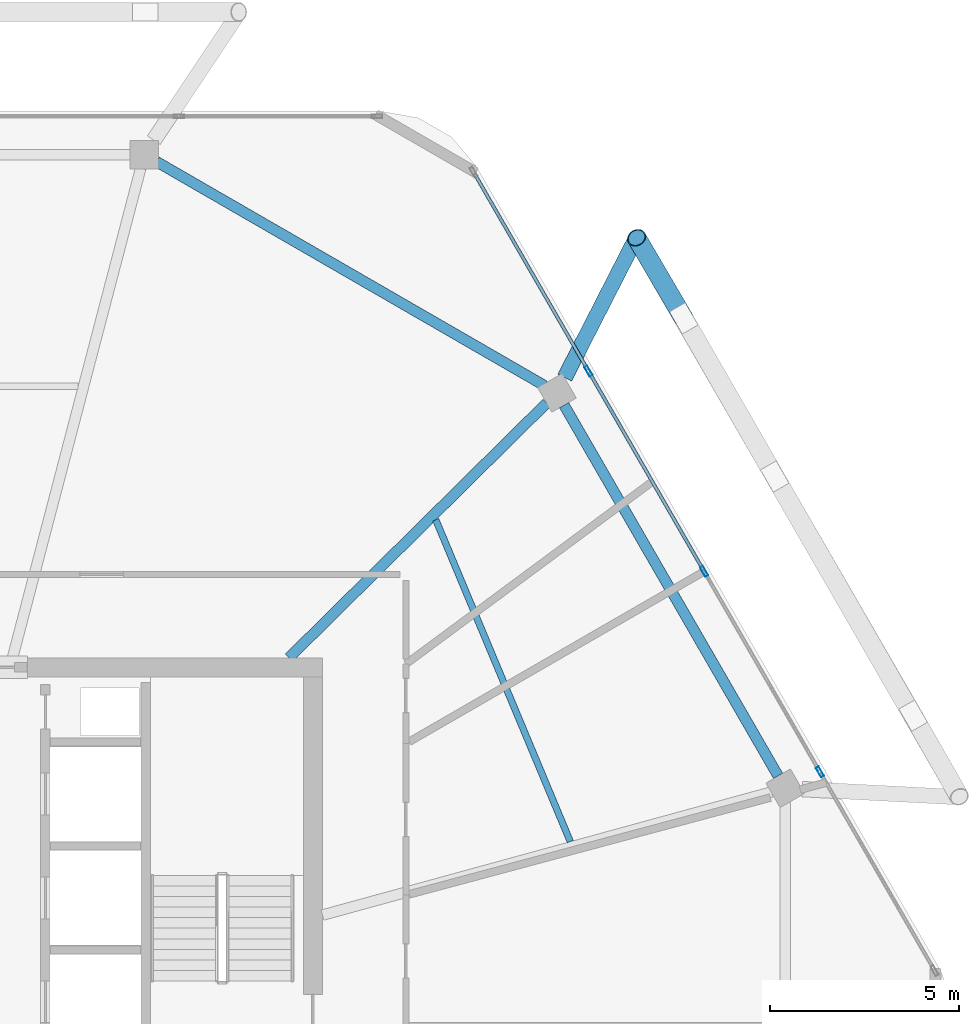
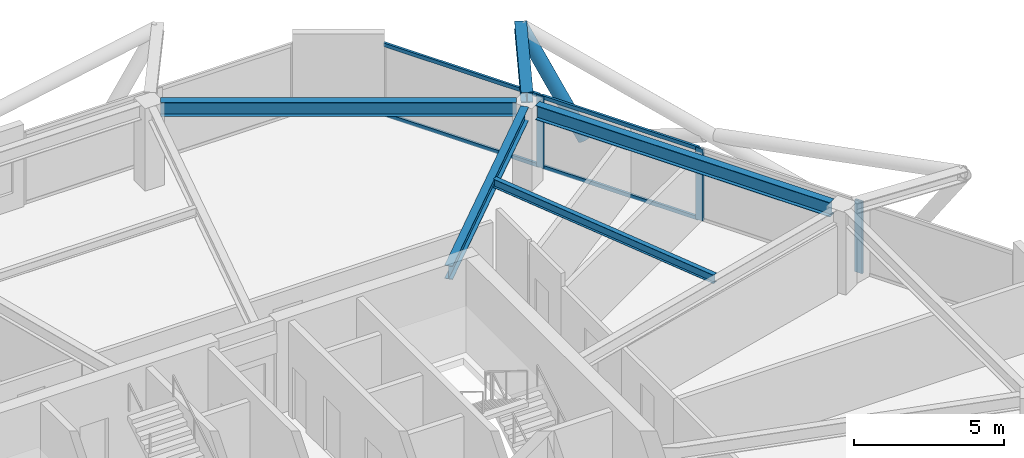
# One storey, part 13 of 23: 8 members, 5 beams, 1 element without a shape of its own.
"""IFC4 building model written with IfcOpenShell, lengths in metres."""

from ifc_helpers import new_model, si_unit, direction, frame, origin, origin_2d, place, context, subcontext, project, spatial, hollow_rectangle, hollow_circle, i_section, extrude, material, material_profile, profile_set, type_object, element, aggregate, save


model = new_model("IFC4")

# Units and contexts
model_context = context("Model", 3, precision=1e-05, world=origin(), true_north=direction((0.0, 1.0)))
body_context = subcontext(model_context, "Body", "Model", "MODEL_VIEW")
ifc_project = project(units=[si_unit("LENGTHUNIT", "METRE"), si_unit("AREAUNIT", "SQUARE_METRE"), si_unit("VOLUMEUNIT", "CUBIC_METRE"), si_unit("PLANEANGLEUNIT", "RADIAN"), si_unit("MASSUNIT", "GRAM", prefix="KILO")], contexts=[model_context])

# Site, building, storey
site_placement = place(None, origin())
site = spatial("IfcSite", under=ifc_project, at=site_placement, CompositionType="ELEMENT")
building_placement = place(site_placement, origin())
building = spatial("IfcBuilding", under=site, at=building_placement, Name="Zuhravey Tower", CompositionType="ELEMENT")
storey_placement = place(building_placement, frame((0.0, 0.0, 353.800048828125)))
storey = spatial("IfcBuildingStorey", under=building, at=storey_placement, Name="L90", CompositionType="ELEMENT", Elevation=353.800048828125)

# Curtain wall, members
ifc_material_1 = material(Name="Thermally broken anodised aluminium", Category="aluminium")
curtain_wall_type = type_object("IfcCurtainWallType", Name="Zone 3-4 High-Rise Curtain Wall CW4", PredefinedType="NOTDEFINED", material=ifc_material_1)
curtain_wall_placement = place(storey_placement, origin())
curtain_wall = element("IfcCurtainWall", 1, at=curtain_wall_placement, inside=storey, type_object=curtain_wall_type, Name="L90 CW4 CW-L90-F1-1", PredefinedType="NOTDEFINED")
ifc_material_2 = material(Name="Anodised aluminium", Category="aluminium")
ifc_material_profile_1 = material_profile(ifc_material_2, hollow_rectangle(XDim=0.090087890625, YDim=0.284912109375, WallThickness=0.0048828125, at=origin_2d()), Name="ALU-RHS-90x285x5")
ifc_profile_set_1 = profile_set([ifc_material_profile_1], Name="Anodised aluminium")
member_type_1 = type_object("IfcMemberType", Name="Curtain-Wall Mullion 90x180", PredefinedType="MULLION", material=ifc_profile_set_1)
member_1_placement = place(storey_placement, frame((53.788818359375, 49.3369140625, 0.0), z_axis=(0.0, 0.0, 1.0), x_axis=(0.866025511541, 0.49999981336, 0.0)))
member_1 = element("IfcMember", 2, at=member_1_placement, type_object=member_type_1, Name="CW4 mullion 2", PredefinedType="MULLION", context=body_context, shape_type="SweptSolid", body=[
    extrude(hollow_rectangle(XDim=0.090087890625, YDim=0.284912109375, WallThickness=0.0048828125, at=origin_2d()), origin(), (0.0, 0.0, 1.0), 2.921875),
])
member_2_placement = place(storey_placement, frame((56.8486328125, 44.037109375, 0.0), z_axis=(0.0, 0.0, 1.0), x_axis=(0.866025511541, 0.49999981336, 0.0)))
member_2 = element("IfcMember", 3, at=member_2_placement, type_object=member_type_1, Name="CW4 mullion 3", PredefinedType="MULLION", context=body_context, shape_type="SweptSolid", body=[
    extrude(hollow_rectangle(XDim=0.090087890625, YDim=0.284912109375, WallThickness=0.0048828125, at=origin_2d()), origin(), (0.0, 0.0, 1.0), 2.921875),
])
member_3_placement = place(storey_placement, frame((59.90869140625, 38.7373046875, 0.0), z_axis=(0.0, 0.0, 1.0), x_axis=(0.866025511541, 0.49999981336, 0.0)))
member_3 = element("IfcMember", 4, at=member_3_placement, type_object=member_type_1, Name="CW4 mullion 4", PredefinedType="MULLION", context=body_context, shape_type="SweptSolid", body=[
    extrude(hollow_rectangle(XDim=0.090087890625, YDim=0.284912109375, WallThickness=0.0048828125, at=origin_2d()), origin(), (0.0, 0.0, 1.0), 2.921875),
])
ifc_material_profile_2 = material_profile(ifc_material_2, hollow_rectangle(XDim=0.090087890625, YDim=0.14990234375, WallThickness=0.0048828125, at=origin_2d()), Name="ALU-RHS-90x150x5")
ifc_profile_set_2 = profile_set([ifc_material_profile_2], Name="Anodised aluminium")
member_type_2 = type_object("IfcMemberType", Name="Curtain-Wall Transom 90x150", PredefinedType="USERDEFINED", material=ifc_profile_set_2)
member_4_placement = place(storey_placement, frame((50.774169921875, 54.55859375, 0.044921875), z_axis=(0.499982594807, -0.866035452444, 0.0), x_axis=(0.866035452444, 0.499982594807, 0.0)))
member_4 = element("IfcMember", 5, at=member_4_placement, type_object=member_type_2, Name="CW4 transom 1.1", ObjectType="TRANSOM", PredefinedType="USERDEFINED", context=body_context, shape_type="SweptSolid", body=[
    extrude(hollow_rectangle(XDim=0.090087890625, YDim=0.14990234375, WallThickness=0.0048828125, at=origin_2d()), origin(), (0.0, 0.0, 1.0), 5.984619140625),
])
member_5_placement = place(storey_placement, frame((50.774169921875, 54.55859375, 2.876953125), z_axis=(0.499982594807, -0.866035452444, 0.0), x_axis=(0.866035452444, 0.499982594807, 0.0)))
member_5 = element("IfcMember", 6, at=member_5_placement, type_object=member_type_2, Name="CW4 transom 1.2", ObjectType="TRANSOM", PredefinedType="USERDEFINED", context=body_context, shape_type="SweptSolid", body=[
    extrude(hollow_rectangle(XDim=0.090087890625, YDim=0.14990234375, WallThickness=0.0048828125, at=origin_2d()), origin(), (0.0, 0.0, 1.0), 5.984619140625),
])
member_6_placement = place(storey_placement, frame((53.8115234375, 49.2978515625, 0.044921875), z_axis=(0.499971305196, -0.866041970103, 0.0), x_axis=(0.866041970103, 0.499971305196, 0.0)))
member_6 = element("IfcMember", 7, at=member_6_placement, type_object=member_type_2, Name="CW4 transom 2.1", ObjectType="TRANSOM", PredefinedType="USERDEFINED", context=body_context, shape_type="SweptSolid", body=[
    extrude(hollow_rectangle(XDim=0.090087890625, YDim=0.14990234375, WallThickness=0.0048828125, at=origin_2d()), origin(), (0.0, 0.0, 1.0), 6.029541015625),
])
member_7_placement = place(storey_placement, frame((53.8115234375, 49.2978515625, 2.876953125), z_axis=(0.499971305196, -0.866041970103, 0.0), x_axis=(0.866041970103, 0.499971305196, 0.0)))
member_7 = element("IfcMember", 8, at=member_7_placement, type_object=member_type_2, Name="CW4 transom 2.2", ObjectType="TRANSOM", PredefinedType="USERDEFINED", context=body_context, shape_type="SweptSolid", body=[
    extrude(hollow_rectangle(XDim=0.090087890625, YDim=0.14990234375, WallThickness=0.0048828125, at=origin_2d()), origin(), (0.0, 0.0, 1.0), 6.029541015625),
])
aggregate(curtain_wall, [member_1, member_2, member_3, member_4, member_5, member_6, member_7])

# Beam
ifc_material_3 = material(Name="Steel SM460", Category="steel")
ifc_material_profile_3 = material_profile(ifc_material_3, i_section(OverallWidth=0.406982421875, OverallDepth=0.427978515625, WebThickness=0.02001953125, FlangeThickness=0.034912109375, at=origin_2d()), Name="H-428x407x20x35")
ifc_profile_set_3 = profile_set([ifc_material_profile_3], Name="Steel SM460")
beam_type_1 = type_object("IfcBeamType", Name="Exoskeleton Node Tie Beam H428x407", PredefinedType="BEAM", material=ifc_profile_set_3)
beam_1_placement = place(storey_placement, frame((53.15966796875, 49.1630859375, 3.135986328125), z_axis=(0.454912116778, 0.890536336153, 0.0), x_axis=(-0.890536336153, 0.454912116778, 0.0)))
element("IfcBeam", 9, at=beam_1_placement, inside=storey, type_object=beam_type_1, Name="L90 Exoskeleton Node Tie NT1-02", PredefinedType="BEAM", context=body_context, shape_type="SweptSolid", body=[
    extrude(i_section(OverallWidth=0.406982421875, OverallDepth=0.427978515625, WebThickness=0.02001953125, FlangeThickness=0.034912109375, at=origin_2d()), origin(), (0.0, 0.0, 1.0), 4.151611328125),
])

# Member
ifc_material_4 = material(Name="Steel SM355", Category="steel")
ifc_material_profile_4 = material_profile(ifc_material_4, hollow_circle(Radius=0.25390625, WallThickness=0.02490234375, at=origin_2d()), Name="CHS-508.0x25")
ifc_profile_set_4 = profile_set([ifc_material_profile_4], Name="Steel SM355")
member_type_3 = type_object("IfcMemberType", Name="Exoskeleton Zone 4 Diagrid CHS508x25", PredefinedType="BRACE", material=ifc_profile_set_4)
member_8_placement = place(storey_placement, frame((56.3037109375, 50.74072265625, -0.5830078125), z_axis=(-0.279611884569, 0.477679454804, 0.832850246122), x_axis=(-0.863018689104, -0.505171992748, 0.0)))
element("IfcMember", 10, at=member_8_placement, inside=storey, type_object=member_type_3, Name="L90 Face 1 Diagrid Brace 4", PredefinedType="BRACE", context=body_context, shape_type="SweptSolid", body=[
    extrude(hollow_circle(Radius=0.25390625, WallThickness=0.02490234375, at=origin_2d()), origin(), (0.0, 0.0, 1.0), 4.446044921875),
])

# Beams
ifc_material_profile_5 = material_profile(ifc_material_4, i_section(OverallWidth=0.280029296875, OverallDepth=0.580078125, WebThickness=0.011962890625, FlangeThickness=0.01904296875, at=origin_2d()), Name="H-580x280x12x19")
ifc_profile_set_5 = profile_set([ifc_material_profile_5], Name="Steel SM355")
beam_type_2 = type_object("IfcBeamType", Name="Perimeter Ring Beam H580x280", PredefinedType="BEAM", material=ifc_profile_set_5)
beam_2_placement = place(storey_placement, frame((58.804443359375, 38.629638671875, 3.06005859375), z_axis=(-0.499993743963, 0.866029015679, 0.0), x_axis=(-0.866029015679, -0.499993743963, 0.0)))
element("IfcBeam", 11, at=beam_2_placement, inside=storey, type_object=beam_type_2, Name="L90 PB4 BM-L90-PB-01", PredefinedType="BEAM", context=body_context, shape_type="SweptSolid", body=[
    extrude(i_section(OverallWidth=0.280029296875, OverallDepth=0.580078125, WebThickness=0.011962890625, FlangeThickness=0.01904296875, at=origin_2d()), origin(), (0.0, 0.0, 1.0), 11.321533203125),
])
beam_3_placement = place(storey_placement, frame((52.62744140625, 48.95068359375, 3.06005859375), z_axis=(-0.866030838723, 0.499990586292, 0.0), x_axis=(-0.499990586292, -0.866030838723, 0.0)))
element("IfcBeam", 12, at=beam_3_placement, inside=storey, type_object=beam_type_2, Name="L90 PB4 BM-L90-PB-02", PredefinedType="BEAM", context=body_context, shape_type="SweptSolid", body=[
    extrude(i_section(OverallWidth=0.280029296875, OverallDepth=0.580078125, WebThickness=0.011962890625, FlangeThickness=0.01904296875, at=origin_2d()), origin(), (0.0, 0.0, 1.0), 11.848876953125),
])
ifc_material_profile_6 = material_profile(ifc_material_4, i_section(OverallWidth=0.280029296875, OverallDepth=0.550048828125, WebThickness=0.010986328125, FlangeThickness=0.01806640625, at=origin_2d()), Name="H-550x280x11x18")
ifc_profile_set_6 = profile_set([ifc_material_profile_6], Name="Steel SM355")
beam_type_3 = type_object("IfcBeamType", Name="Radial Primary Girder H550x280", PredefinedType="BEAM", material=ifc_profile_set_6)
beam_4_placement = place(storey_placement, frame((45.865234375, 41.7529296875, 3.074951171875), z_axis=(0.711142578304, 0.703047817238, 0.0), x_axis=(-0.703047817238, 0.711142578304, 0.0)))
element("IfcBeam", 13, at=beam_4_placement, inside=storey, type_object=beam_type_3, Name="L90 RG4 BM-L90-RAD-02", PredefinedType="BEAM", context=body_context, shape_type="SweptSolid", body=[
    extrude(i_section(OverallWidth=0.280029296875, OverallDepth=0.550048828125, WebThickness=0.010986328125, FlangeThickness=0.01806640625, at=origin_2d()), origin(), (0.0, 0.0, 1.0), 9.591064453125),
])
ifc_material_profile_7 = material_profile(ifc_material_4, i_section(OverallWidth=0.175048828125, OverallDepth=0.35009765625, WebThickness=0.007080078125, FlangeThickness=0.010986328125, at=origin_2d()), Name="H-350x175x7x11")
ifc_profile_set_7 = profile_set([ifc_material_profile_7], Name="Steel SM355")
beam_type_4 = type_object("IfcBeamType", Name="Secondary Floor Joist H350x175", PredefinedType="JOIST", material=ifc_profile_set_7)
beam_5_placement = place(storey_placement, frame((53.307373046875, 36.891845703125, 3.175048828125), z_axis=(-0.385657891576, 0.922641853953, 0.0), x_axis=(-0.922641853953, -0.385657891576, 0.0)))
element("IfcBeam", 14, at=beam_5_placement, inside=storey, type_object=beam_type_4, Name="L90 SJ3 BM-L90-SJ-01-1", PredefinedType="JOIST", context=body_context, shape_type="SweptSolid", body=[
    extrude(i_section(OverallWidth=0.175048828125, OverallDepth=0.35009765625, WebThickness=0.007080078125, FlangeThickness=0.010986328125, at=origin_2d()), origin(), (0.0, 0.0, 1.0), 9.226806640625),
])

save(model, "model.ifc")
